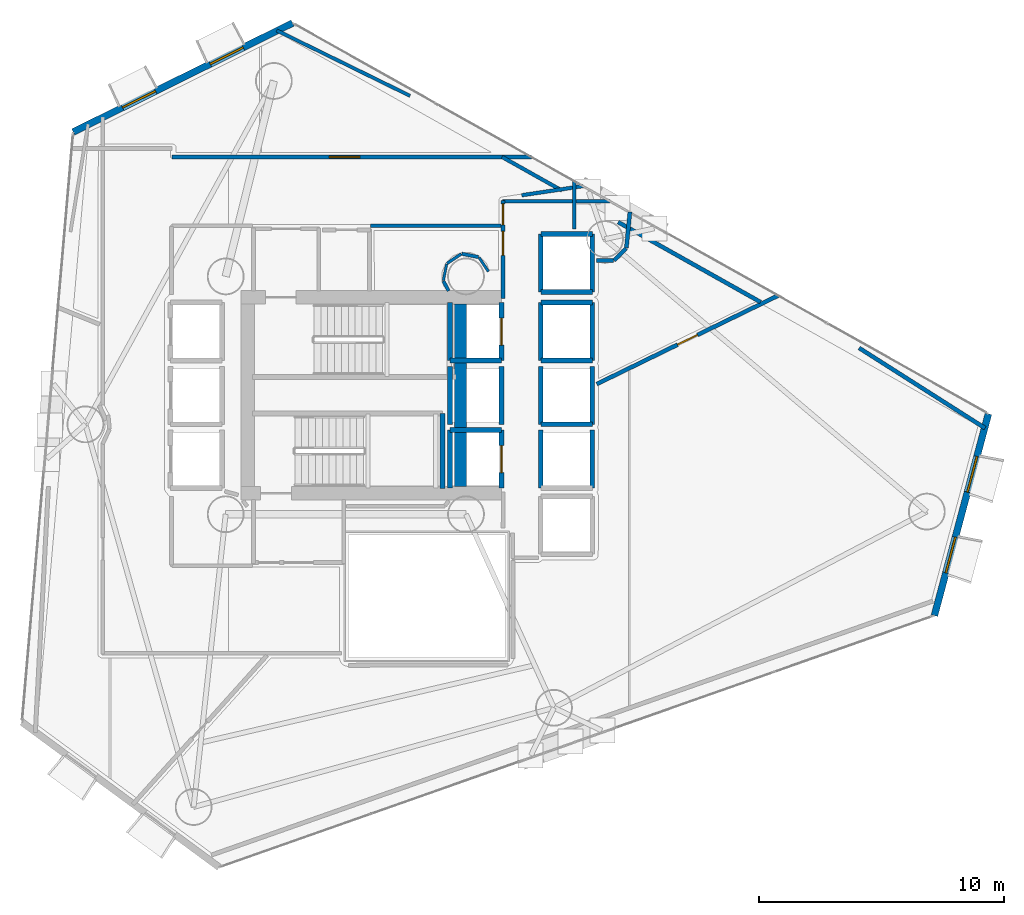
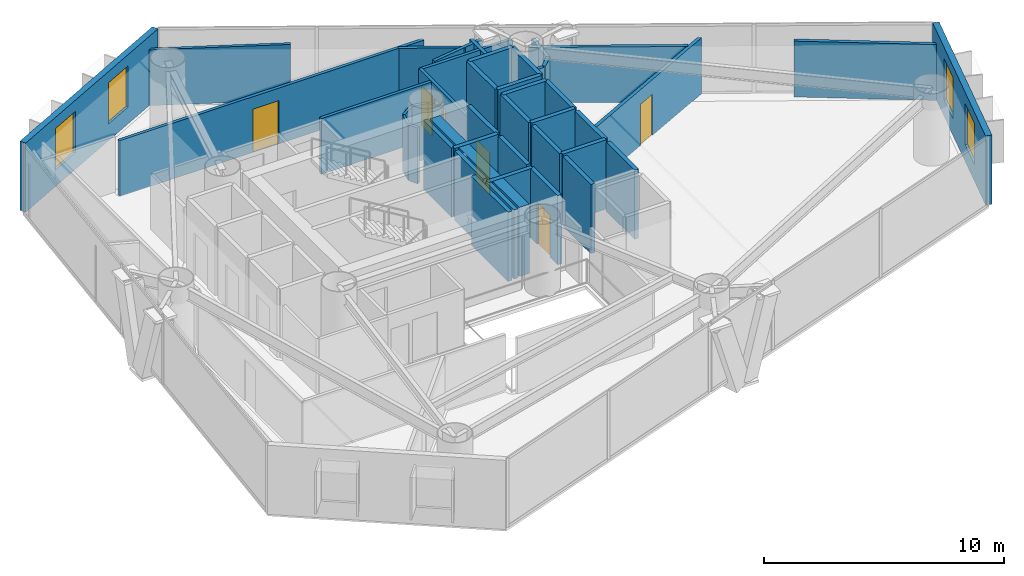
# One storey, part 16 of 19: 44 walls, 6 doors, 4 windows, 10 openings.
"""IFC4 building model written with IfcOpenShell, lengths in metres."""

import ifcopenshell
import ifcopenshell.guid

model = None  # the IFC model being written
_history = None  # IfcOwnerHistory: only IFC2X3 demands one
_inside = {}  # id of a spatial element -> (the spatial element, [elements in it])
_under = {}  # id of a project, library or spatial element -> (it, [spatial elements below it])
_declared = {}  # id of a project -> (the project, [libraries it declares])
_typed = {}  # id of a type object -> (the type object, [elements of that type])
_made_of = {}  # id of a material, layer set ... -> (it, [elements and type objects made of it])


def new_model(schema):
    """Start an empty IFC model of exactly this schema.

    Asked for "IFC4X3", IfcOpenShell would pick the latest addendum, in which some entities
    have other attributes; the version numbers below select the first issue.
    IFC2X3 requires an IfcOwnerHistory on every rooted entity: one is made here for all.
    """
    global model, _history
    if schema == "IFC4X3":
        model = ifcopenshell.file(schema_version=(4, 3, 0, 0))
    else:
        model = ifcopenshell.file(schema=schema)
    _inside.clear()
    _under.clear()
    _declared.clear()
    _typed.clear()
    _made_of.clear()
    _history = None
    if model.schema == "IFC2X3":
        org = make("IfcOrganization", Name="unknown")
        user = make(
            "IfcPersonAndOrganization",
            ThePerson=make("IfcPerson", FamilyName="unknown"),
            TheOrganization=org,
        )
        app = make(
            "IfcApplication",
            ApplicationDeveloper=org,
            Version="unknown",
            ApplicationFullName="unknown",
            ApplicationIdentifier="unknown",
        )
        _history = make(
            "IfcOwnerHistory",
            OwningUser=user,
            OwningApplication=app,
            ChangeAction="ADDED",
            CreationDate=0,
        )
    return model


def make(cls, **values):
    """One entity of the class cls with the attributes given. An attribute that is None is left unset."""
    return model.create_entity(
        cls, **{name: value for name, value in values.items() if value is not None}
    )


def rooted(cls, **values):
    """An entity with a GlobalId (a new one), such as an element, a storey or a relation."""
    return make(cls, GlobalId=ifcopenshell.guid.new(), OwnerHistory=_history, **values)


def si_unit(unit_type, name, prefix=None):
    """IfcSIUnit, for example si_unit("LENGTHUNIT", "METRE", prefix="MILLI")."""
    return make("IfcSIUnit", UnitType=unit_type, Prefix=prefix, Name=name)


def assignment(units):
    """IfcUnitAssignment: the units of a project."""
    return None if units is None else make("IfcUnitAssignment", Units=units)


def point(xyz):
    """IfcCartesianPoint."""
    return None if xyz is None else make("IfcCartesianPoint", Coordinates=xyz)


def direction(xyz):
    """IfcDirection."""
    return None if xyz is None else make("IfcDirection", DirectionRatios=xyz)


def frame(location, z_axis=None, x_axis=None):
    """IfcAxis2Placement3D, a coordinate frame: its origin and axes. An axis left out is left unset."""
    return make(
        "IfcAxis2Placement3D",
        Location=point(location),
        Axis=direction(z_axis),
        RefDirection=direction(x_axis),
    )


def frame_2d(location, x_axis=None):
    """IfcAxis2Placement2D, a coordinate frame in the plane: its origin and x axis."""
    return make(
        "IfcAxis2Placement2D", Location=point(location), RefDirection=direction(x_axis)
    )


def origin():
    """The frame at (0, 0, 0) with its axes left unset."""
    return frame((0.0, 0.0, 0.0))


def place(relative_to, where):
    """IfcLocalPlacement: puts the frame where relative to a parent placement (None: the world)."""
    return make(
        "IfcLocalPlacement", PlacementRelTo=relative_to, RelativePlacement=where
    )


def context(
    kind, dimensions, precision=None, world=None, true_north=None, identifier=None
):
    """IfcGeometricRepresentationContext, for example the 3D "Model" context."""
    return make(
        "IfcGeometricRepresentationContext",
        ContextIdentifier=identifier,
        ContextType=kind,
        CoordinateSpaceDimension=dimensions,
        Precision=precision,
        WorldCoordinateSystem=world,
        TrueNorth=true_north,
    )


def subcontext(parent, identifier, kind, view, scale=None):
    """IfcGeometricRepresentationSubContext, for example "Body" below "Model"."""
    return make(
        "IfcGeometricRepresentationSubContext",
        ContextIdentifier=identifier,
        ContextType=kind,
        ParentContext=parent,
        TargetScale=scale,
        TargetView=view,
    )


def project(units=None, contexts=None):
    """IfcProject with its units and contexts."""
    return rooted(
        "IfcProject",
        Name="project",
        RepresentationContexts=contexts,
        UnitsInContext=assignment(units),
    )


def spatial(cls, under=None, at=None, **own):
    """A site, building, storey or space (cls), placed at a placement, below another one or the project."""
    s = rooted(cls, ObjectPlacement=at, **own)
    if under is not None:
        _under.setdefault(under.id(), (under, []))[1].append(s)
    return s


def profile(cls, at=None, kind="AREA", **sizes):
    """A parametric profile (cls). Its sizes go by their IFC names, for example OverallWidth=200.0."""
    return make(cls, ProfileType=kind, Position=at, **sizes)


def rectangle(**sizes):
    """IfcRectangleProfileDef."""
    return profile("IfcRectangleProfileDef", **sizes)


def extrude(swept, where, along, depth):
    """IfcExtrudedAreaSolid: the profile swept, set in the frame where, extruded along a direction by depth."""
    return make(
        "IfcExtrudedAreaSolid",
        SweptArea=swept,
        Position=where,
        ExtrudedDirection=direction(along),
        Depth=depth,
    )


def shape(context_of_items, identifier, shape_type, items):
    """IfcShapeRepresentation: the items that make up one representation, for example the "Body"."""
    return make(
        "IfcShapeRepresentation",
        ContextOfItems=context_of_items,
        RepresentationIdentifier=identifier,
        RepresentationType=shape_type,
        Items=items,
    )


def material(Name=None, Category=None):
    """IfcMaterial."""
    return make("IfcMaterial", Name=Name, Category=Category)


def layer(
    of_material, thickness, ventilated=None, Name=None, Category=None, Priority=None
):
    """IfcMaterialLayer: one layer of a wall or slab, of a material (None: an air gap)."""
    return make(
        "IfcMaterialLayer",
        Material=of_material,
        LayerThickness=thickness,
        IsVentilated=ventilated,
        Name=Name,
        Category=Category,
        Priority=Priority,
    )


def layer_set(layers, Name=None):
    """IfcMaterialLayerSet."""
    return make("IfcMaterialLayerSet", MaterialLayers=layers, LayerSetName=Name)


def made_of(thing, what):
    """Note that an element or type object is made of a material, layer set ...; save() writes the relation."""
    if what is not None:
        _made_of.setdefault(what.id(), (what, []))[1].append(thing)
    return thing


def type_object(cls, material=None, **own):
    """A type object (cls), such as IfcWallType, which elements share."""
    return made_of(rooted(cls, **own), material)


def element(
    cls,
    number,
    at=None,
    inside=None,
    cuts=None,
    type_object=None,
    material=None,
    context=None,
    identifier="Body",
    shape_type=None,
    held_by="IfcProductDefinitionShape",
    body=None,
    shapes=None,
    **own,
):
    """One element of the class cls, such as IfcWall. Its Tag is "e" and its number.

    at: its placement. inside: the storey or other place that contains it. cuts: it is an
    opening in that element (IfcRelVoidsElement). A single representation is given by context,
    identifier, shape_type and body (its items); several are given by shapes. held_by: the class
    of the entity that holds the representations. save() writes the other relations.
    """
    e = rooted(cls, Tag="e%d" % number, ObjectPlacement=at, **own)
    if body is not None:
        shapes = [shape(context, identifier, shape_type, body)]
    if shapes is not None:
        e.Representation = make(held_by, Representations=shapes)
    if inside is not None:
        _inside.setdefault(inside.id(), (inside, []))[1].append(e)
    if cuts is not None:
        rooted(
            "IfcRelVoidsElement", RelatingBuildingElement=cuts, RelatedOpeningElement=e
        )
    if type_object is not None:
        _typed.setdefault(type_object.id(), (type_object, []))[1].append(e)
    return made_of(e, material)


def fill(opening, filler):
    """IfcRelFillsElement: the door or window that sits in an opening."""
    return rooted(
        "IfcRelFillsElement",
        RelatingOpeningElement=opening,
        RelatedBuildingElement=filler,
    )


def aggregate(whole, parts):
    """IfcRelAggregates: a whole, such as a stair, and the parts it consists of."""
    return rooted("IfcRelAggregates", RelatingObject=whole, RelatedObjects=parts)


def save(model, path):
    """Write the relations noted so far, then the file.

    IfcRelAggregates (storeys below a building ...), IfcRelContainedInSpatialStructure (elements
    in a storey), IfcRelDefinesByType, IfcRelAssociatesMaterial and IfcRelDeclares: one each for
    every whole, place, type object, material and project.
    """
    for whole, parts in _under.values():
        aggregate(whole, parts)
    for where, things in _inside.values():
        rooted(
            "IfcRelContainedInSpatialStructure",
            RelatedElements=things,
            RelatingStructure=where,
        )
    for kind, things in _typed.values():
        rooted("IfcRelDefinesByType", RelatedObjects=things, RelatingType=kind)
    for what, things in _made_of.values():
        rooted("IfcRelAssociatesMaterial", RelatedObjects=things, RelatingMaterial=what)
    for by, libraries in _declared.values():
        rooted("IfcRelDeclares", RelatingContext=by, RelatedDefinitions=libraries)
    model.write(path)


model = new_model("IFC4")

# Units and contexts
model_context = context("Model", 3, precision=1e-05, world=origin(), true_north=direction((0.0, 1.0)))
body_context = subcontext(model_context, "Body", "Model", "MODEL_VIEW")
ifc_project = project(units=[si_unit("LENGTHUNIT", "METRE"), si_unit("AREAUNIT", "SQUARE_METRE"), si_unit("VOLUMEUNIT", "CUBIC_METRE"), si_unit("PLANEANGLEUNIT", "RADIAN"), si_unit("MASSUNIT", "GRAM", prefix="KILO")], contexts=[model_context])

# Site, building, storey
site_placement = place(None, origin())
site = spatial("IfcSite", under=ifc_project, at=site_placement, CompositionType="ELEMENT")
building_placement = place(site_placement, origin())
building = spatial("IfcBuilding", under=site, at=building_placement, Name="Qianvela Tower", CompositionType="ELEMENT")
storey_placement = place(building_placement, frame((0.0, 0.0, 123.699951171875)))
storey = spatial("IfcBuildingStorey", under=building, at=storey_placement, Name="L31", CompositionType="ELEMENT", Elevation=123.699951171875)

# Wall, openings, windows
ifc_material_1 = material(Name="Terracotta Cladding on Concrete C40", Category="masonry")
ifc_layer_1 = layer(ifc_material_1, 0.280029296875)
ifc_layer_set_1 = layer_set([ifc_layer_1], Name="Terracotta Cladding on Concrete C40")
wall_type_1 = type_object("IfcWallType", Name="TERRACOTTA-WALL-280", PredefinedType="SOLIDWALL", material=ifc_layer_set_1)
wall_1_placement = place(storey_placement, frame((57.506103515625, 19.718505859375, 0.0), z_axis=(0.0, 0.0, 1.0), x_axis=(0.258544049757, 0.965999469118, 0.0)))
wall_1 = element("IfcWall", 1, at=wall_1_placement, inside=storey, type_object=wall_type_1, Name="L31 Terracotta Chamfer Facet Wall 1", PredefinedType="SOLIDWALL", context=body_context, shape_type="SweptSolid", body=[
    extrude(rectangle(XDim=8.515625, YDim=0.280029296875, at=frame_2d((4.2578125, 0.0))), origin(), (0.0, 0.0, 1.0), 3.52001953125),
])
opening_1_placement = place(wall_1_placement, frame((1.8046875, 0.0, 0.85009765625)))
opening_1 = element("IfcOpeningElement", 2, at=opening_1_placement, cuts=wall_1, Name="Opening W-02", PredefinedType="OPENING", context=body_context, shape_type="SweptSolid", body=[
    extrude(rectangle(XDim=1.5, YDim=2.10009765625, at=frame_2d((0.75, 1.050048828125))), frame((0.0, 0.14990234375, 0.0), z_axis=(0.0, -1.0, 0.0), x_axis=(1.0, 0.0, 0.0)), (0.0, 0.0, 1.0), 0.300048828125),
])
opening_2_placement = place(wall_1_placement, frame((5.211181640625, 0.0, 0.85009765625)))
opening_2 = element("IfcOpeningElement", 3, at=opening_2_placement, cuts=wall_1, Name="Opening W-02", PredefinedType="OPENING", context=body_context, shape_type="SweptSolid", body=[
    extrude(rectangle(XDim=1.5, YDim=2.10009765625, at=frame_2d((0.75, 1.050048828125))), frame((0.0, 0.14990234375, 0.0), z_axis=(0.0, -1.0, 0.0), x_axis=(1.0, 0.0, 0.0)), (0.0, 0.0, 1.0), 0.300048828125),
])
ifc_material_2 = material(Name="Thermally Broken Aluminium and Low-E Glass", Category="aluminium")
window_type = type_object("IfcWindowType", Name="WIN-TC-1500x2100", PartitioningType="DOUBLE_PANEL_VERTICAL", PredefinedType="WINDOW", material=ifc_material_2)
window_1_placement = place(opening_1_placement, origin())
window_1 = element("IfcWindow", 4, at=window_1_placement, inside=storey, type_object=window_type, Name="L31 Chamfer Facet Window 1.1", OverallHeight=2.10009765625, OverallWidth=1.5, PartitioningType="SINGLE_PANEL", PredefinedType="WINDOW", context=body_context, shape_type="SweptSolid", body=[
    extrude(rectangle(XDim=1.5, YDim=2.10009765625, at=frame_2d((0.75, 1.050048828125))), frame((0.0, 0.030029296875, 0.0), z_axis=(0.0, -1.0, 0.0), x_axis=(1.0, 0.0, 0.0)), (0.0, 0.0, 1.0), 0.06005859375),
])
fill(opening_1, window_1)
window_2_placement = place(opening_2_placement, origin())
window_2 = element("IfcWindow", 5, at=window_2_placement, inside=storey, type_object=window_type, Name="L31 Chamfer Facet Window 1.2", OverallHeight=2.10009765625, OverallWidth=1.5, PartitioningType="SINGLE_PANEL", PredefinedType="WINDOW", context=body_context, shape_type="SweptSolid", body=[
    extrude(rectangle(XDim=1.5, YDim=2.10009765625, at=frame_2d((0.75, 1.050048828125))), frame((0.0, 0.030029296875, 0.0), z_axis=(0.0, -1.0, 0.0), x_axis=(1.0, 0.0, 0.0)), (0.0, 0.0, 1.0), 0.06005859375),
])
fill(opening_2, window_2)

wall_2_placement = place(storey_placement, frame((31.32275390625, 43.882080078125, 0.0), z_axis=(0.0, 0.0, 1.0), x_axis=(-0.895510377487, -0.445040631643, 0.0)))
wall_2 = element("IfcWall", 6, at=wall_2_placement, inside=storey, type_object=wall_type_1, Name="L31 Terracotta Chamfer Facet Wall 3", PredefinedType="SOLIDWALL", context=body_context, shape_type="SweptSolid", body=[
    extrude(rectangle(XDim=9.983154296875, YDim=0.280029296875, at=frame_2d((4.99169921875, 0.0))), origin(), (0.0, 0.0, 1.0), 3.52001953125),
])
opening_3_placement = place(wall_2_placement, frame((2.244873046875, 0.0, 0.85009765625)))
opening_3 = element("IfcOpeningElement", 7, at=opening_3_placement, cuts=wall_2, Name="Opening W-02", PredefinedType="OPENING", context=body_context, shape_type="SweptSolid", body=[
    extrude(rectangle(XDim=1.5, YDim=2.10009765625, at=frame_2d((0.75, 1.050048828125))), frame((0.0, 0.14990234375, 0.0), z_axis=(0.0, -1.0, 0.0), x_axis=(1.0, 0.0, 0.0)), (0.0, 0.0, 1.0), 0.300048828125),
])
opening_4_placement = place(wall_2_placement, frame((6.23828125, 0.0, 0.85009765625)))
opening_4 = element("IfcOpeningElement", 8, at=opening_4_placement, cuts=wall_2, Name="Opening W-02", PredefinedType="OPENING", context=body_context, shape_type="SweptSolid", body=[
    extrude(rectangle(XDim=1.5, YDim=2.10009765625, at=frame_2d((0.75, 1.050048828125))), frame((0.0, 0.14990234375, 0.0), z_axis=(0.0, -1.0, 0.0), x_axis=(1.0, 0.0, 0.0)), (0.0, 0.0, 1.0), 0.300048828125),
])
window_3_placement = place(opening_3_placement, origin())
window_3 = element("IfcWindow", 9, at=window_3_placement, inside=storey, type_object=window_type, Name="L31 Chamfer Facet Window 3.1", OverallHeight=2.10009765625, OverallWidth=1.5, PartitioningType="SINGLE_PANEL", PredefinedType="WINDOW", context=body_context, shape_type="SweptSolid", body=[
    extrude(rectangle(XDim=1.5, YDim=2.10009765625, at=frame_2d((0.75, 1.050048828125))), frame((0.0, 0.030029296875, 0.0), z_axis=(0.0, -1.0, 0.0), x_axis=(1.0, 0.0, 0.0)), (0.0, 0.0, 1.0), 0.06005859375),
])
fill(opening_3, window_3)
window_4_placement = place(opening_4_placement, origin())
window_4 = element("IfcWindow", 10, at=window_4_placement, inside=storey, type_object=window_type, Name="L31 Chamfer Facet Window 3.2", OverallHeight=2.10009765625, OverallWidth=1.5, PartitioningType="SINGLE_PANEL", PredefinedType="WINDOW", context=body_context, shape_type="SweptSolid", body=[
    extrude(rectangle(XDim=1.5, YDim=2.10009765625, at=frame_2d((0.75, 1.050048828125))), frame((0.0, 0.030029296875, 0.0), z_axis=(0.0, -1.0, 0.0), x_axis=(1.0, 0.0, 0.0)), (0.0, 0.0, 1.0), 0.06005859375),
])
fill(opening_4, window_4)

# Wall
ifc_material_3 = material(Name="Concrete C60", Category="concrete")
ifc_layer_2 = layer(ifc_material_3, 0.550048828125)
ifc_layer_set_2 = layer_set([ifc_layer_2], Name="Concrete C60")
wall_type_2 = type_object("IfcWallType", Name="WT-CORE-550", PredefinedType="SHEAR", material=ifc_layer_set_2)
wall_3_placement = place(storey_placement, frame((38.179931640625, 24.97998046875, 0.0), z_axis=(0.0, 0.0, 1.0), x_axis=(0.0, 1.0, 0.0)))
element("IfcWall", 11, at=wall_3_placement, inside=storey, type_object=wall_type_2, Name="L31 East Spine Core Shear Wall", PredefinedType="SHEAR", context=body_context, shape_type="SweptSolid", body=[
    extrude(rectangle(XDim=7.43994140625, YDim=0.5, at=frame_2d((3.719970703125, 0.0))), origin(), (0.0, 0.0, 1.0), 3.52001953125),
])

# Wall, openings, doors
ifc_material_4 = material(Name="Fire-Rated Acoustic Gypsum Board")
ifc_layer_3 = layer(ifc_material_4, 0.14990234375)
ifc_layer_set_3 = layer_set([ifc_layer_3], Name="Fire-Rated Acoustic Gypsum Board")
wall_type_3 = type_object("IfcWallType", Name="WT-CORR-150", PredefinedType="PARTITIONING", material=ifc_layer_set_3)
wall_4_placement = place(storey_placement, frame((39.910888671875, 32.639892578125, 0.0), z_axis=(0.0, 0.0, 1.0), x_axis=(0.0, 1.0, 0.0)))
wall_4 = element("IfcWall", 12, at=wall_4_placement, inside=storey, type_object=wall_type_3, Name="L31 Partition 10", PredefinedType="PARTITIONING", context=body_context, shape_type="SweptSolid", body=[
    extrude(rectangle(XDim=4.010009765625, YDim=0.14990234375, at=frame_2d((2.0048828125, 0.0))), origin(), (0.0, 0.0, 1.0), 2.840087890625),
])
opening_5_placement = place(wall_4_placement, frame((3.010009765625, 0.0, 0.0)))
opening_5 = element("IfcOpeningElement", 13, at=opening_5_placement, cuts=wall_4, Name="Opening D-LB2", PredefinedType="OPENING", context=body_context, shape_type="SweptSolid", body=[
    extrude(rectangle(XDim=0.860107421875, YDim=2.050048828125, at=frame_2d((0.43017578125, 1.02490234375))), frame((0.0, 0.0849609375, 0.0), z_axis=(0.0, -1.0, 0.0), x_axis=(1.0, 0.0, 0.0)), (0.0, 0.0, 1.0), 0.169921875),
])
opening_6_placement = place(wall_4_placement, frame((1.76611328125, 0.0, 0.0)))
opening_6 = element("IfcOpeningElement", 14, at=opening_6_placement, cuts=wall_4, Name="Opening D-RM1", PredefinedType="OPENING", context=body_context, shape_type="SweptSolid", body=[
    extrude(rectangle(XDim=0.97998046875, YDim=2.10009765625, at=frame_2d((0.489990234375, 1.050048828125))), frame((0.0, 0.0849609375, 0.0), z_axis=(0.0, -1.0, 0.0), x_axis=(1.0, 0.0, 0.0)), (0.0, 0.0, 1.0), 0.169921875),
])
ifc_material_5 = material(Name="Insulated Steel Fire Door Q355B", Category="steel")
door_type_1 = type_object("IfcDoorType", Name="DT-LOBBY-FD90-860", OperationType="NOTDEFINED", PredefinedType="DOOR", material=ifc_material_5)
door_1_placement = place(opening_5_placement, origin())
door_1 = element("IfcDoor", 15, at=door_1_placement, inside=storey, type_object=door_type_1, Name="L31 Door L31 Lift Lobby to L31 Floor Corridor", OperationType="SINGLE_SWING_LEFT", OverallHeight=2.050048828125, OverallWidth=0.860107421875, PredefinedType="DOOR", context=body_context, shape_type="SweptSolid", body=[
    extrude(rectangle(XDim=0.860107421875, YDim=2.050048828125, at=frame_2d((0.43017578125, 1.02490234375))), frame((0.0, 0.02490234375, 0.0), z_axis=(0.0, -1.0, 0.0), x_axis=(1.0, 0.0, 0.0)), (0.0, 0.0, 1.0), 0.050048828125),
])
fill(opening_5, door_1)
ifc_material_6 = material(Name="Solid Core Acoustic Timber Fire Door", Category="wood")
door_type_2 = type_object("IfcDoorType", Name="DT-ROOM-FD60", OperationType="NOTDEFINED", PredefinedType="DOOR", material=ifc_material_6)
door_2_placement = place(opening_6_placement, origin())
door_2 = element("IfcDoor", 16, at=door_2_placement, inside=storey, type_object=door_type_2, Name="L31 Door Student Bookshop Market L31-04 to L31 Lift Lobby", OperationType="SINGLE_SWING_LEFT", OverallHeight=2.10009765625, OverallWidth=0.97998046875, PredefinedType="DOOR", context=body_context, shape_type="SweptSolid", body=[
    extrude(rectangle(XDim=0.97998046875, YDim=2.10009765625, at=frame_2d((0.489990234375, 1.050048828125))), frame((0.0, 0.02490234375, 0.0), z_axis=(0.0, -1.0, 0.0), x_axis=(1.0, 0.0, 0.0)), (0.0, 0.0, 1.0), 0.050048828125),
])
fill(opening_6, door_2)

# Walls
wall_5_placement = place(storey_placement, frame((39.8798828125, 36.618896484375, 0.0), z_axis=(0.0, 0.0, 1.0), x_axis=(1.0, 0.0, 0.0)))
element("IfcWall", 17, at=wall_5_placement, inside=storey, type_object=wall_type_3, Name="L31 Partition 11", PredefinedType="PARTITIONING", context=body_context, shape_type="SweptSolid", body=[
    extrude(rectangle(XDim=4.398681640625, YDim=0.14990234375, at=frame_2d((2.19921875, 0.0))), origin(), (0.0, 0.0, 1.0), 2.840087890625),
])
wall_6_placement = place(storey_placement, frame((42.819091796875, 37.447265625, 0.0), z_axis=(0.0, 0.0, 1.0), x_axis=(0.0, -1.0, 0.0)))
element("IfcWall", 18, at=wall_6_placement, inside=storey, type_object=wall_type_3, Name="L31 Partition 12", PredefinedType="PARTITIONING", context=body_context, shape_type="SweptSolid", body=[
    extrude(rectangle(XDim=1.96728515625, YDim=0.14990234375, at=frame_2d((0.983642578125, 0.0))), origin(), (0.0, 0.0, 1.0), 2.840087890625),
])

# Wall, opening, door
wall_7_placement = place(storey_placement, frame((26.419921875, 38.4189453125, 0.0), z_axis=(0.0, 0.0, 1.0), x_axis=(1.0, 0.0, 0.0)))
wall_7 = element("IfcWall", 19, at=wall_7_placement, inside=storey, type_object=wall_type_3, Name="L31 Partition 38", PredefinedType="PARTITIONING", context=body_context, shape_type="SweptSolid", body=[
    extrude(rectangle(XDim=14.65283203125, YDim=0.14990234375, at=frame_2d((7.326416015625, 0.0))), origin(), (0.0, 0.0, 1.0), 2.840087890625),
])
opening_7_placement = place(wall_7_placement, frame((6.40625, 0.0, 0.0)))
opening_7 = element("IfcOpeningElement", 20, at=opening_7_placement, cuts=wall_7, Name="Opening D-LG1", PredefinedType="OPENING", context=body_context, shape_type="SweptSolid", body=[
    extrude(rectangle(XDim=1.25, YDim=2.199951171875, at=frame_2d((0.625, 1.10009765625))), frame((0.0, 0.0849609375, 0.0), z_axis=(0.0, -1.0, 0.0), x_axis=(1.0, 0.0, 0.0)), (0.0, 0.0, 1.0), 0.169921875),
])
ifc_material_7 = material(Name="Anodised Aluminium Acoustic Glass Door", Category="aluminium")
door_type_3 = type_object("IfcDoorType", Name="DT-LOUNGE-1250", OperationType="NOTDEFINED", PredefinedType="DOOR", material=ifc_material_7)
door_3_placement = place(opening_7_placement, origin())
door_3 = element("IfcDoor", 21, at=door_3_placement, inside=storey, type_object=door_type_3, Name="L31 Door Stationery Supply Boutique L31-05 to L31 Floor Corridor", OperationType="SINGLE_SWING_RIGHT", OverallHeight=2.199951171875, OverallWidth=1.25, PredefinedType="DOOR", context=body_context, shape_type="SweptSolid", body=[
    extrude(rectangle(XDim=1.25, YDim=2.199951171875, at=frame_2d((0.625, 1.10009765625))), frame((0.0, 0.02490234375, 0.0), z_axis=(0.0, -1.0, 0.0), x_axis=(1.0, 0.0, 0.0)), (0.0, 0.0, 1.0), 0.050048828125),
])
fill(opening_7, door_3)

# Walls
wall_8_placement = place(storey_placement, frame((39.869140625, 38.423095703125, 0.0), z_axis=(0.0, 0.0, 1.0), x_axis=(0.87196097956, -0.489575377368, 0.0)))
element("IfcWall", 22, at=wall_8_placement, inside=storey, type_object=wall_type_3, Name="L31 Partition 39", PredefinedType="PARTITIONING", context=body_context, shape_type="SweptSolid", body=[
    extrude(rectangle(XDim=2.80615234375, YDim=0.14990234375, at=frame_2d((1.403076171875, 0.0))), origin(), (0.0, 0.0, 1.0), 2.840087890625),
])
wall_9_placement = place(storey_placement, frame((43.185546875, 37.235595703125, 0.0), z_axis=(0.0, 0.0, 1.0), x_axis=(-0.9889539611, -0.148223017191, 0.0)))
element("IfcWall", 23, at=wall_9_placement, inside=storey, type_object=wall_type_3, Name="L31 Partition 40 seg 1", PredefinedType="PARTITIONING", context=body_context, shape_type="SweptSolid", body=[
    extrude(rectangle(XDim=2.54150390625, YDim=0.14990234375, at=frame_2d((1.270751953125, 0.0))), origin(), (0.0, 0.0, 1.0), 2.840087890625),
])
wall_10_placement = place(storey_placement, frame((39.818115234375, 35.611083984375, 0.0), z_axis=(0.0, 0.0, 1.0), x_axis=(-1.0, 0.0, 0.0)))
element("IfcWall", 24, at=wall_10_placement, inside=storey, type_object=wall_type_3, Name="L31 Partition 42 seg 1", PredefinedType="PARTITIONING", context=body_context, shape_type="SweptSolid", body=[
    extrude(rectangle(XDim=5.318115234375, YDim=0.14990234375, at=frame_2d((2.6591796875, 0.0))), origin(), (0.0, 0.0, 1.0), 2.840087890625),
])
ifc_material_8 = material(Name="Lightweight Gypsum Room Partition")
ifc_layer_4 = layer(ifc_material_8, 0.10498046875)
ifc_layer_set_4 = layer_set([ifc_layer_4], Name="Lightweight Gypsum Room Partition")
wall_type_4 = type_object("IfcWallType", Name="WT-PART-105", PredefinedType="PARTITIONING", material=ifc_layer_set_4)
wall_11_placement = place(storey_placement, frame((39.317138671875, 33.748291015625, 0.0), z_axis=(0.0, 0.0, 1.0), x_axis=(-0.556649926744, 0.830747169153, 0.0)))
element("IfcWall", 25, at=wall_11_placement, inside=storey, type_object=wall_type_4, Name="L31 Partition 87", PredefinedType="PARTITIONING", context=body_context, shape_type="SweptSolid", body=[
    extrude(rectangle(XDim=0.69287109375, YDim=0.10498046875, at=frame_2d((0.346435546875, 0.0))), origin(), (0.0, 0.0, 1.0), 2.840087890625),
])
wall_12_placement = place(storey_placement, frame((37.613037109375, 34.0615234375, 0.0), z_axis=(0.0, 0.0, 1.0), x_axis=(-0.195239756305, -0.98075554424, 0.0)))
element("IfcWall", 26, at=wall_12_placement, inside=storey, type_object=wall_type_4, Name="L31 Partition 90", PredefinedType="PARTITIONING", context=body_context, shape_type="SweptSolid", body=[
    extrude(rectangle(XDim=0.696533203125, YDim=0.10498046875, at=frame_2d((0.34814453125, 0.0))), origin(), (0.0, 0.0, 1.0), 2.840087890625),
])
ifc_material_9 = material(Name="Insulated Gypsum Stud Partition")
ifc_layer_5 = layer(ifc_material_9, 0.1201171875)
ifc_layer_set_5 = layer_set([ifc_layer_5], Name="Insulated Gypsum Stud Partition")
wall_type_5 = type_object("IfcWallType", Name="WT-PART-120", PredefinedType="PARTITIONING", material=ifc_layer_set_5)
wall_13_placement = place(storey_placement, frame((38.205078125, 34.46826171875, 0.0), z_axis=(0.0, 0.0, 1.0), x_axis=(-0.831348365513, -0.555751648814, 0.0)))
element("IfcWall", 27, at=wall_13_placement, inside=storey, type_object=wall_type_5, Name="L31 Partition 89", PredefinedType="PARTITIONING", context=body_context, shape_type="SweptSolid", body=[
    extrude(rectangle(XDim=0.6962890625, YDim=0.1201171875, at=frame_2d((0.34814453125, 0.0))), origin(), (0.0, 0.0, 1.0), 2.840087890625),
])

# Wall, opening, door
ifc_material_10 = material(Name="Sanitary Service Chase Partition")
ifc_layer_6 = layer(ifc_material_10, 0.1650390625)
ifc_layer_set_6 = layer_set([ifc_layer_6], Name="Sanitary Service Chase Partition")
wall_type_6 = type_object("IfcWallType", Name="WT-PLUMB-165", PredefinedType="PLUMBINGWALL", material=ifc_layer_set_6)
wall_14_placement = place(storey_placement, frame((43.733642578125, 29.159423828125, 0.0), z_axis=(0.0, 0.0, 1.0), x_axis=(0.898802601671, 0.438353605244, 0.0)))
wall_14 = element("IfcWall", 28, at=wall_14_placement, inside=storey, type_object=wall_type_6, Name="L31 Partition 67", PredefinedType="PLUMBINGWALL", context=body_context, shape_type="SweptSolid", body=[
    extrude(rectangle(XDim=8.242919921875, YDim=0.1650390625, at=frame_2d((4.12158203125, 0.0))), origin(), (0.0, 0.0, 1.0), 2.840087890625),
])
opening_8_placement = place(wall_14_placement, frame((3.66943359375, 0.0, 0.0)))
opening_8 = element("IfcOpeningElement", 29, at=opening_8_placement, cuts=wall_14, Name="Opening D-KT1", PredefinedType="OPENING", context=body_context, shape_type="SweptSolid", body=[
    extrude(rectangle(XDim=0.89990234375, YDim=2.10009765625, at=frame_2d((0.449951171875, 1.050048828125))), frame((0.0, 0.092529296875, 0.0), z_axis=(0.0, -1.0, 0.0), x_axis=(1.0, 0.0, 0.0)), (0.0, 0.0, 1.0), 0.18505859375),
])
ifc_material_11 = material(Name="Glazed Timber Kitchen Door", Category="wood")
door_type_4 = type_object("IfcDoorType", Name="DT-KITCH-900", OperationType="NOTDEFINED", PredefinedType="DOOR", material=ifc_material_11)
door_4_placement = place(opening_8_placement, origin())
door_4 = element("IfcDoor", 30, at=door_4_placement, inside=storey, type_object=door_type_4, Name="L31 Door Social Galley Kitchen L31-03 to Floor Dining Kitchen L31-02", OperationType="SINGLE_SWING_RIGHT", OverallHeight=2.10009765625, OverallWidth=0.89990234375, PredefinedType="DOOR", context=body_context, shape_type="SweptSolid", body=[
    extrude(rectangle(XDim=0.89990234375, YDim=2.10009765625, at=frame_2d((0.449951171875, 1.050048828125))), frame((0.0, 0.02490234375, 0.0), z_axis=(0.0, -1.0, 0.0), x_axis=(1.0, 0.0, 0.0)), (0.0, 0.0, 1.0), 0.050048828125),
])
fill(opening_8, door_4)

# Walls
wall_15_placement = place(storey_placement, frame((54.433837890625, 30.630615234375, 0.0), z_axis=(0.0, 0.0, 1.0), x_axis=(0.843618566955, -0.536942933178, 0.0)))
element("IfcWall", 31, at=wall_15_placement, inside=storey, type_object=wall_type_6, Name="L31 Partition 68 seg 1", PredefinedType="PLUMBINGWALL", context=body_context, shape_type="SweptSolid", body=[
    extrude(rectangle(XDim=6.090087890625, YDim=0.1650390625, at=frame_2d((3.044921875, 0.0))), origin(), (0.0, 0.0, 1.0), 2.840087890625),
])
wall_16_placement = place(storey_placement, frame((43.714111328125, 34.202880859375, 0.0), z_axis=(0.0, 0.0, 1.0), x_axis=(0.999978344434, -0.006581083666, 0.0)))
element("IfcWall", 32, at=wall_16_placement, inside=storey, type_object=wall_type_6, Name="L31 Partition 79", PredefinedType="PLUMBINGWALL", context=body_context, shape_type="SweptSolid", body=[
    extrude(rectangle(XDim=0.704833984375, YDim=0.1650390625, at=frame_2d((0.3525390625, 0.0))), origin(), (0.0, 0.0, 1.0), 2.840087890625),
])
wall_17_placement = place(storey_placement, frame((44.441162109375, 34.207275390625, 0.0), z_axis=(0.0, 0.0, 1.0), x_axis=(0.707106781187, 0.707106781187, 0.0)))
element("IfcWall", 33, at=wall_17_placement, inside=storey, type_object=wall_type_6, Name="L31 Partition 80", PredefinedType="PLUMBINGWALL", context=body_context, shape_type="SweptSolid", body=[
    extrude(rectangle(XDim=0.6962890625, YDim=0.1650390625, at=frame_2d((0.34814453125, 0.0))), origin(), (0.0, 0.0, 1.0), 2.840087890625),
])
wall_18_placement = place(storey_placement, frame((44.942626953125, 34.71875, 0.0), z_axis=(0.0, 0.0, 1.0), x_axis=(0.0980832699, 0.99517821126, 0.0)))
element("IfcWall", 34, at=wall_18_placement, inside=storey, type_object=wall_type_6, Name="L31 Partition 81", PredefinedType="PLUMBINGWALL", context=body_context, shape_type="SweptSolid", body=[
    extrude(rectangle(XDim=1.463623046875, YDim=0.1650390625, at=frame_2d((0.73193359375, 0.0))), origin(), (0.0, 0.0, 1.0), 2.840087890625),
])
wall_19_placement = place(storey_placement, frame((44.604736328125, 35.76416015625, 0.0), z_axis=(0.0, 0.0, 1.0), x_axis=(0.871956893642, -0.489582654544, 0.0)))
element("IfcWall", 35, at=wall_19_placement, inside=storey, type_object=wall_type_6, Name="L31 Partition 83", PredefinedType="PLUMBINGWALL", context=body_context, shape_type="SweptSolid", body=[
    extrude(rectangle(XDim=6.663330078125, YDim=0.1650390625, at=frame_2d((3.33154296875, 0.0))), origin(), (0.0, 0.0, 1.0), 2.840087890625),
])
ifc_material_12 = material(Name="Acoustic Double Gypsum Stud Partition")
ifc_layer_7 = layer(ifc_material_12, 0.139892578125)
ifc_layer_set_7 = layer_set([ifc_layer_7], Name="Acoustic Double Gypsum Stud Partition")
wall_type_7 = type_object("IfcWallType", Name="WT-ROOM-140", PredefinedType="PARTITIONING", material=ifc_layer_set_7)
wall_20_placement = place(storey_placement, frame((38.91162109375, 34.3369140625, 0.0), z_axis=(0.0, 0.0, 1.0), x_axis=(-0.98075554424, 0.195239756305, 0.0)))
element("IfcWall", 36, at=wall_20_placement, inside=storey, type_object=wall_type_7, Name="L31 Partition 88", PredefinedType="PARTITIONING", context=body_context, shape_type="SweptSolid", body=[
    extrude(rectangle(XDim=0.696533203125, YDim=0.139892578125, at=frame_2d((0.34814453125, 0.0))), origin(), (0.0, 0.0, 1.0), 2.840087890625),
])
wall_21_placement = place(storey_placement, frame((37.47998046875, 33.35791015625, 0.0), z_axis=(0.0, 0.0, 1.0), x_axis=(0.471593841364, -0.881815881455, 0.0)))
element("IfcWall", 37, at=wall_21_placement, inside=storey, type_object=wall_type_7, Name="L31 Partition 91", PredefinedType="PARTITIONING", context=body_context, shape_type="SweptSolid", body=[
    extrude(rectangle(XDim=0.45361328125, YDim=0.139892578125, at=frame_2d((0.226806640625, 0.0))), origin(), (0.0, 0.0, 1.0), 2.840087890625),
])
wall_22_placement = place(storey_placement, frame((30.68115234375, 43.581787109375, 0.0), z_axis=(0.0, 0.0, 1.0), x_axis=(0.897761161536, -0.440482572684, 0.0)))
element("IfcWall", 38, at=wall_22_placement, inside=storey, type_object=wall_type_7, Name="L31 Partition 100 seg 1", PredefinedType="PARTITIONING", context=body_context, shape_type="SweptSolid", body=[
    extrude(rectangle(XDim=6.061279296875, YDim=0.139892578125, at=frame_2d((3.03076171875, 0.0))), origin(), (0.0, 0.0, 1.0), 2.840087890625),
])
ifc_material_13 = material(Name="Concrete C50", Category="concrete")
ifc_layer_8 = layer(ifc_material_13, 0.199951171875)
ifc_layer_set_8 = layer_set([ifc_layer_8], Name="Concrete C50")
wall_type_8 = type_object("IfcWallType", Name="WT-SHAFT-200", PredefinedType="SOLIDWALL", material=ifc_layer_set_8)
wall_23_placement = place(storey_placement, frame((37.449951171875, 24.89990234375, 0.0), z_axis=(0.0, 0.0, 1.0), x_axis=(0.0, 1.0, 0.0)))
element("IfcWall", 39, at=wall_23_placement, inside=storey, type_object=wall_type_8, Name="L31 Stair ST-2 East Wall", PredefinedType="SOLIDWALL", context=body_context, shape_type="SweptSolid", body=[
    extrude(rectangle(XDim=3.06005859375, YDim=0.199951171875, at=frame_2d((1.530029296875, 0.0))), origin(), (0.0, 0.0, 1.0), 3.52001953125),
])

# Wall, opening, door
wall_24_placement = place(storey_placement, frame((39.85009765625, 30.1201171875, 0.0), z_axis=(0.0, 0.0, 1.0), x_axis=(0.0, 1.0, 0.0)))
wall_24 = element("IfcWall", 40, at=wall_24_placement, inside=storey, type_object=wall_type_8, Name="L31 Lift FL-1 E Shaft Wall", PredefinedType="SOLIDWALL", context=body_context, shape_type="SweptSolid", body=[
    extrude(rectangle(XDim=2.35986328125, YDim=0.199951171875, at=frame_2d((1.179931640625, 0.0))), origin(), (0.0, 0.0, 1.0), 3.52001953125),
])
opening_9_placement = place(wall_24_placement, frame((0.6298828125, 0.0, 0.0)))
opening_9 = element("IfcOpeningElement", 41, at=opening_9_placement, cuts=wall_24, Name="Opening LD-01", PredefinedType="OPENING", context=body_context, shape_type="SweptSolid", body=[
    extrude(rectangle(XDim=1.10009765625, YDim=2.14990234375, at=frame_2d((0.550048828125, 1.074951171875))), frame((0.0, 0.10986328125, 0.0), z_axis=(0.0, -1.0, 0.0), x_axis=(1.0, 0.0, 0.0)), (0.0, 0.0, 1.0), 0.219970703125),
])
ifc_material_14 = material(Name="Brushed Stainless Steel Lift Landing Door", Category="steel")
door_type_5 = type_object("IfcDoorType", Name="DT-LIFT-SLIDE-1100", OperationType="SLIDING_TO_LEFT", PredefinedType="DOOR", material=ifc_material_14)
door_5_placement = place(opening_9_placement, origin())
door_5 = element("IfcDoor", 42, at=door_5_placement, inside=storey, type_object=door_type_5, Name="L31 Lift FL-1 Sliding Landing Door", OperationType="SLIDING_TO_LEFT", OverallHeight=2.14990234375, OverallWidth=1.10009765625, PredefinedType="DOOR", context=body_context, shape_type="SweptSolid", body=[
    extrude(rectangle(XDim=1.10009765625, YDim=2.14990234375, at=frame_2d((0.550048828125, 1.074951171875))), frame((0.0, 0.02490234375, 0.0), z_axis=(0.0, -1.0, 0.0), x_axis=(1.0, 0.0, 0.0)), (0.0, 0.0, 1.0), 0.050048828125),
])
fill(opening_9, door_5)

# Walls
wall_25_placement = place(storey_placement, frame((37.75, 30.1201171875, 0.0), z_axis=(0.0, 0.0, 1.0), x_axis=(0.0, 1.0, 0.0)))
element("IfcWall", 43, at=wall_25_placement, inside=storey, type_object=wall_type_8, Name="L31 Lift FL-1 W Shaft Wall", PredefinedType="SOLIDWALL", context=body_context, shape_type="SweptSolid", body=[
    extrude(rectangle(XDim=2.35986328125, YDim=0.199951171875, at=frame_2d((1.179931640625, 0.0))), origin(), (0.0, 0.0, 1.0), 3.52001953125),
])
wall_26_placement = place(storey_placement, frame((37.75, 30.1201171875, 0.0), z_axis=(0.0, 0.0, 1.0), x_axis=(1.0, 0.0, 0.0)))
element("IfcWall", 44, at=wall_26_placement, inside=storey, type_object=wall_type_8, Name="L31 Lift FL-1 S Shaft Wall", PredefinedType="SOLIDWALL", context=body_context, shape_type="SweptSolid", body=[
    extrude(rectangle(XDim=2.10009765625, YDim=0.199951171875, at=frame_2d((1.050048828125, 0.0))), origin(), (0.0, 0.0, 1.0), 3.52001953125),
])

# Wall, opening, door
wall_27_placement = place(storey_placement, frame((39.85009765625, 24.919921875, 0.0), z_axis=(0.0, 0.0, 1.0), x_axis=(0.0, 1.0, 0.0)))
wall_27 = element("IfcWall", 45, at=wall_27_placement, inside=storey, type_object=wall_type_8, Name="L31 Lift FL-2 E Shaft Wall", PredefinedType="SOLIDWALL", context=body_context, shape_type="SweptSolid", body=[
    extrude(rectangle(XDim=2.360107421875, YDim=0.199951171875, at=frame_2d((1.18017578125, 0.0))), origin(), (0.0, 0.0, 1.0), 3.52001953125),
])
opening_10_placement = place(wall_27_placement, frame((0.6298828125, 0.0, 0.0)))
opening_10 = element("IfcOpeningElement", 46, at=opening_10_placement, cuts=wall_27, Name="Opening LD-01", PredefinedType="OPENING", context=body_context, shape_type="SweptSolid", body=[
    extrude(rectangle(XDim=1.10009765625, YDim=2.14990234375, at=frame_2d((0.550048828125, 1.074951171875))), frame((0.0, 0.10986328125, 0.0), z_axis=(0.0, -1.0, 0.0), x_axis=(1.0, 0.0, 0.0)), (0.0, 0.0, 1.0), 0.219970703125),
])
door_6_placement = place(opening_10_placement, origin())
door_6 = element("IfcDoor", 47, at=door_6_placement, inside=storey, type_object=door_type_5, Name="L31 Lift FL-2 Sliding Landing Door", OperationType="SLIDING_TO_LEFT", OverallHeight=2.14990234375, OverallWidth=1.10009765625, PredefinedType="DOOR", context=body_context, shape_type="SweptSolid", body=[
    extrude(rectangle(XDim=1.10009765625, YDim=2.14990234375, at=frame_2d((0.550048828125, 1.074951171875))), frame((0.0, 0.02490234375, 0.0), z_axis=(0.0, -1.0, 0.0), x_axis=(1.0, 0.0, 0.0)), (0.0, 0.0, 1.0), 0.050048828125),
])
fill(opening_10, door_6)

# Walls
wall_28_placement = place(storey_placement, frame((37.75, 24.919921875, 0.0), z_axis=(0.0, 0.0, 1.0), x_axis=(0.0, 1.0, 0.0)))
element("IfcWall", 48, at=wall_28_placement, inside=storey, type_object=wall_type_8, Name="L31 Lift FL-2 W Shaft Wall", PredefinedType="SOLIDWALL", context=body_context, shape_type="SweptSolid", body=[
    extrude(rectangle(XDim=2.360107421875, YDim=0.199951171875, at=frame_2d((1.18017578125, 0.0))), origin(), (0.0, 0.0, 1.0), 3.52001953125),
])
wall_29_placement = place(storey_placement, frame((37.75, 27.280029296875, 0.0), z_axis=(0.0, 0.0, 1.0), x_axis=(1.0, 0.0, 0.0)))
element("IfcWall", 49, at=wall_29_placement, inside=storey, type_object=wall_type_8, Name="L31 Lift FL-2 N Shaft Wall", PredefinedType="SOLIDWALL", context=body_context, shape_type="SweptSolid", body=[
    extrude(rectangle(XDim=2.10009765625, YDim=0.199951171875, at=frame_2d((1.050048828125, 0.0))), origin(), (0.0, 0.0, 1.0), 3.52001953125),
])
for number, where, z_axis, x_axis, name in (
    (50, (43.550048828125, 30.1201171875, 0.0), (0.0, 0.0, 1.0), (0.0, 1.0, 0.0), "L31 Lift PL-M1 E Shaft Wall"),
    (51, (41.449951171875, 30.1201171875, 0.0), (0.0, 0.0, 1.0), (0.0, 1.0, 0.0), "L31 Lift PL-M1 W Shaft Wall"),
):
    element("IfcWall", number, at=place(storey_placement, frame(where, z_axis=z_axis, x_axis=x_axis)), inside=storey, type_object=wall_type_8, Name=name, PredefinedType="SOLIDWALL", context=body_context, shape_type="SweptSolid", body=[
        extrude(rectangle(XDim=2.35986328125, YDim=0.199951171875, at=frame_2d((1.179931640625, 0.0))), origin(), (0.0, 0.0, 1.0), 3.52001953125),
    ])
for number, where, z_axis, x_axis, name in (
    (52, (41.449951171875, 32.47998046875, 0.0), (0.0, 0.0, 1.0), (1.0, 0.0, 0.0), "L31 Lift PL-M1 N Shaft Wall"),
    (53, (41.449951171875, 30.1201171875, 0.0), (0.0, 0.0, 1.0), (1.0, 0.0, 0.0), "L31 Lift PL-M1 S Shaft Wall"),
):
    element("IfcWall", number, at=place(storey_placement, frame(where, z_axis=z_axis, x_axis=x_axis)), inside=storey, type_object=wall_type_8, Name=name, PredefinedType="SOLIDWALL", context=body_context, shape_type="SweptSolid", body=[
        extrude(rectangle(XDim=2.10009765625, YDim=0.199951171875, at=frame_2d((1.050048828125, 0.0))), origin(), (0.0, 0.0, 1.0), 3.52001953125),
    ])
for number, where, z_axis, x_axis, name in (
    (54, (43.550048828125, 27.52001953125, 0.0), (0.0, 0.0, 1.0), (0.0, 1.0, 0.0), "L31 Lift PL-M2 E Shaft Wall"),
    (55, (41.449951171875, 27.52001953125, 0.0), (0.0, 0.0, 1.0), (0.0, 1.0, 0.0), "L31 Lift PL-M2 W Shaft Wall"),
):
    element("IfcWall", number, at=place(storey_placement, frame(where, z_axis=z_axis, x_axis=x_axis)), inside=storey, type_object=wall_type_8, Name=name, PredefinedType="SOLIDWALL", context=body_context, shape_type="SweptSolid", body=[
        extrude(rectangle(XDim=2.35986328125, YDim=0.199951171875, at=frame_2d((1.179931640625, 0.0))), origin(), (0.0, 0.0, 1.0), 3.52001953125),
    ])
wall_30_placement = place(storey_placement, frame((41.449951171875, 27.52001953125, 0.0), z_axis=(0.0, 0.0, 1.0), x_axis=(1.0, 0.0, 0.0)))
element("IfcWall", 56, at=wall_30_placement, inside=storey, type_object=wall_type_8, Name="L31 Lift PL-M2 S Shaft Wall", PredefinedType="SOLIDWALL", context=body_context, shape_type="SweptSolid", body=[
    extrude(rectangle(XDim=2.10009765625, YDim=0.199951171875, at=frame_2d((1.050048828125, 0.0))), origin(), (0.0, 0.0, 1.0), 3.52001953125),
])
for number, where, z_axis, x_axis, name in (
    (57, (43.550048828125, 24.919921875, 0.0), (0.0, 0.0, 1.0), (0.0, 1.0, 0.0), "L31 Lift PL-M3 E Shaft Wall"),
    (58, (41.449951171875, 24.919921875, 0.0), (0.0, 0.0, 1.0), (0.0, 1.0, 0.0), "L31 Lift PL-M3 W Shaft Wall"),
):
    element("IfcWall", number, at=place(storey_placement, frame(where, z_axis=z_axis, x_axis=x_axis)), inside=storey, type_object=wall_type_8, Name=name, PredefinedType="SOLIDWALL", context=body_context, shape_type="SweptSolid", body=[
        extrude(rectangle(XDim=2.360107421875, YDim=0.199951171875, at=frame_2d((1.18017578125, 0.0))), origin(), (0.0, 0.0, 1.0), 3.52001953125),
    ])
for number, where, z_axis, x_axis, name in (
    (59, (39.85009765625, 27.52001953125, 0.0), (0.0, 0.0, 1.0), (0.0, 1.0, 0.0), "L31 Lift PL-H1 E Shaft Wall"),
    (60, (37.75, 27.52001953125, 0.0), (0.0, 0.0, 1.0), (0.0, 1.0, 0.0), "L31 Lift PL-H1 W Shaft Wall"),
):
    element("IfcWall", number, at=place(storey_placement, frame(where, z_axis=z_axis, x_axis=x_axis)), inside=storey, type_object=wall_type_8, Name=name, PredefinedType="SOLIDWALL", context=body_context, shape_type="SweptSolid", body=[
        extrude(rectangle(XDim=2.35986328125, YDim=0.199951171875, at=frame_2d((1.179931640625, 0.0))), origin(), (0.0, 0.0, 1.0), 3.52001953125),
    ])
for number, where, z_axis, x_axis, name in (
    (61, (43.550048828125, 32.919921875, 0.0), (0.0, 0.0, 1.0), (0.0, 1.0, 0.0), "L31 Lift PL-H3 E Shaft Wall"),
    (62, (41.449951171875, 32.919921875, 0.0), (0.0, 0.0, 1.0), (0.0, 1.0, 0.0), "L31 Lift PL-H3 W Shaft Wall"),
):
    element("IfcWall", number, at=place(storey_placement, frame(where, z_axis=z_axis, x_axis=x_axis)), inside=storey, type_object=wall_type_8, Name=name, PredefinedType="SOLIDWALL", context=body_context, shape_type="SweptSolid", body=[
        extrude(rectangle(XDim=2.360107421875, YDim=0.199951171875, at=frame_2d((1.18017578125, 0.0))), origin(), (0.0, 0.0, 1.0), 3.52001953125),
    ])
for number, where, z_axis, x_axis, name in (
    (63, (41.449951171875, 35.280029296875, 0.0), (0.0, 0.0, 1.0), (1.0, 0.0, 0.0), "L31 Lift PL-H3 N Shaft Wall"),
    (64, (41.449951171875, 32.919921875, 0.0), (0.0, 0.0, 1.0), (1.0, 0.0, 0.0), "L31 Lift PL-H3 S Shaft Wall"),
):
    element("IfcWall", number, at=place(storey_placement, frame(where, z_axis=z_axis, x_axis=x_axis)), inside=storey, type_object=wall_type_8, Name=name, PredefinedType="SOLIDWALL", context=body_context, shape_type="SweptSolid", body=[
        extrude(rectangle(XDim=2.10009765625, YDim=0.199951171875, at=frame_2d((1.050048828125, 0.0))), origin(), (0.0, 0.0, 1.0), 3.52001953125),
    ])

save(model, "model.ifc")
